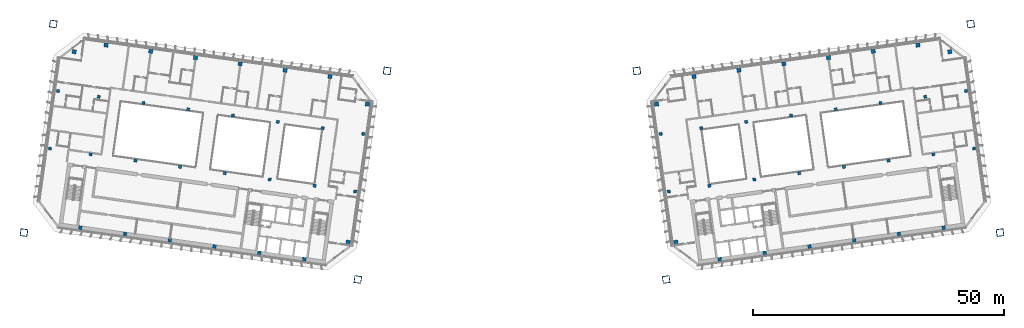
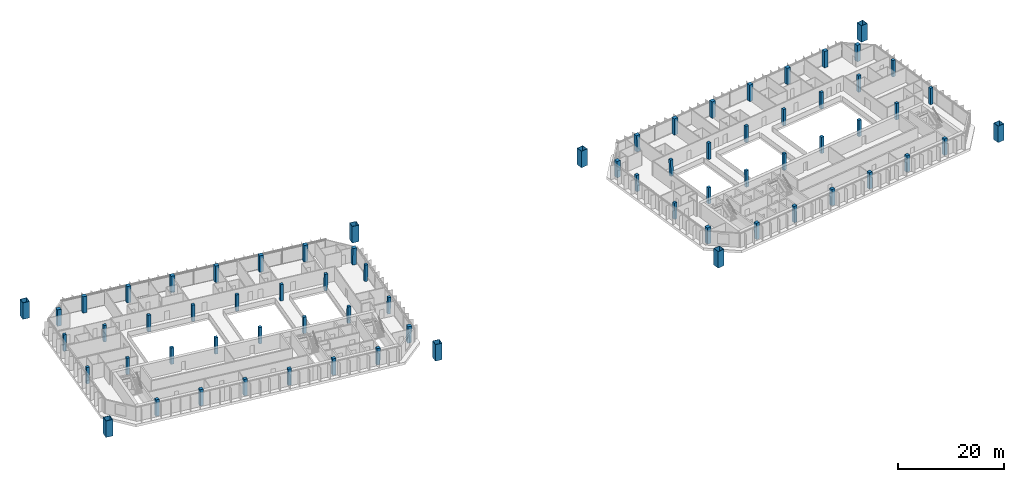
# One storey, part 1 of 26: 70 columns.
"""IFC4 building model written with IfcOpenShell, lengths in metres."""

from ifc_helpers import new_model, si_unit, direction, frame, origin, origin_2d, place, context, subcontext, project, spatial, rectangle, hollow_rectangle, extrude, material, material_profile, profile_set, type_object, element, save


model = new_model("IFC4")

# Units and contexts
model_context = context("Model", 3, precision=1e-05, world=origin(), true_north=direction((0.0, 1.0)))
body_context = subcontext(model_context, "Body", "Model", "MODEL_VIEW")
ifc_project = project(units=[si_unit("LENGTHUNIT", "METRE"), si_unit("AREAUNIT", "SQUARE_METRE"), si_unit("VOLUMEUNIT", "CUBIC_METRE"), si_unit("PLANEANGLEUNIT", "RADIAN"), si_unit("MASSUNIT", "GRAM", prefix="KILO")], contexts=[model_context])

# Site, building, storey
site_placement = place(None, origin())
site = spatial("IfcSite", under=ifc_project, at=site_placement, CompositionType="ELEMENT")
building_placement = place(site_placement, origin())
building = spatial("IfcBuilding", under=site, at=building_placement, Name="Mirante Cascada Hotel Towers", CompositionType="ELEMENT")
storey_placement = place(building_placement, frame((0.0, 0.0, 161.2)))
storey = spatial("IfcBuildingStorey", under=building, at=storey_placement, Name="L37", CompositionType="ELEMENT", Elevation=161.2)

# Columns
ifc_material_1 = material(Name="Steel ASTM A572 Gr 50", Category="steel")
ifc_material_profile_1 = material_profile(ifc_material_1, hollow_rectangle(XDim=1.4, YDim=1.4, WallThickness=0.06, at=origin_2d()), Name="Box column 1400x1400x60 ASTM A572 Gr 50")
ifc_profile_set_1 = profile_set([ifc_material_profile_1], Name="Steel ASTM A572 Gr 50")
column_type_1 = type_object("IfcColumnType", Name="Box column 1400x1400x60 ASTM A572 Gr 50", PredefinedType="COLUMN", material=ifc_profile_set_1)
for number, where, z_axis, x_axis, name in (
    (1, (-24.896, 18.4891, 0.0), (0.0, 0.0, 1.0), (-0.9902681, 0.1391731, 0.0), "Mega column MC1 T1 L37"),
    (2, (-30.7412, -23.1022, 0.0), (0.0, 0.0, 1.0), (-0.9902681, 0.1391731, 0.0), "Mega column MC2 T1 L37"),
    (3, (-91.4448, 27.8419, 0.0), (0.0, 0.0, 1.0), (-0.9902681, 0.1391731, 0.0), "Mega column MC3 T1 L37"),
    (4, (-97.2901, -13.7494, 0.0), (0.0, 0.0, 1.0), (-0.9902681, 0.1391731, 0.0), "Mega column MC4 T1 L37"),
    (5, (24.896, 18.4891, 0.0), (0.0, 0.0, 1.0), (0.9902681, 0.1391731, 0.0), "Mega column MC1 T2 L37"),
    (6, (30.7412, -23.1022, 0.0), (0.0, 0.0, 1.0), (0.9902681, 0.1391731, 0.0), "Mega column MC2 T2 L37"),
    (7, (91.4448, 27.8419, 0.0), (0.0, 0.0, 1.0), (0.9902681, 0.1391731, 0.0), "Mega column MC3 T2 L37"),
    (8, (97.2901, -13.7494, 0.0), (0.0, 0.0, 1.0), (0.9902681, 0.1391731, 0.0), "Mega column MC4 T2 L37"),
):
    element("IfcColumn", number, at=place(storey_placement, frame(where, z_axis=z_axis, x_axis=x_axis)), inside=storey, type_object=column_type_1, Name=name, PredefinedType="COLUMN", context=body_context, shape_type="SweptSolid", body=[
        extrude(hollow_rectangle(XDim=1.4, YDim=1.4, WallThickness=0.06, at=origin_2d()), origin(), (0.0, 0.0, 1.0), 3.8),
    ])
ifc_material_2 = material(Name="Concrete C50/60", Category="concrete")
ifc_material_profile_2 = material_profile(ifc_material_2, rectangle(XDim=0.6, YDim=0.6, at=origin_2d()), Name="RC column 600x600 C50/60")
ifc_profile_set_2 = profile_set([ifc_material_profile_2], Name="Concrete C50/60")
column_type_2 = type_object("IfcColumnType", Name="RC column 600x600 C50/60", PredefinedType="COLUMN", material=ifc_profile_set_2)
for number, where, z_axis, x_axis, name in (
    (9, (-29.6573, 5.9295, 0.004), (0.0173233, -0.0024522, 0.9998469), (0.1401553, 0.9901295, 0.0), "Column T1 L37 2"),
    (10, (-31.2717, -5.5576, 0.004), (0.0173233, -0.0024522, 0.9998469), (0.1401553, 0.9901295, 0.0), "Column T1 L37 3"),
    (11, (-37.7454, 7.0662, 0.004), (0.0174815, -0.0024521, 0.9998442), (0.1389115, 0.9903048, 0.0), "Column T1 L37 6"),
    (12, (-39.3598, -4.4209, 0.004), (0.0174815, -0.0024521, 0.9998442), (0.1389115, 0.9903048, 0.0), "Column T1 L37 7"),
):
    element("IfcColumn", number, at=place(storey_placement, frame(where, z_axis=z_axis, x_axis=x_axis)), inside=storey, type_object=column_type_2, Name=name, PredefinedType="COLUMN", context=body_context, shape_type="SweptSolid", body=[
        extrude(rectangle(XDim=0.6, YDim=0.6, at=origin_2d()), origin(), (0.0, 0.0, 1.0), 3.7926),
    ])
for number, where, z_axis, x_axis, name in (
    (13, (-46.6916, 8.3235, 0.004), (0.0087549, -0.0012394, 0.9999609), (0.1401687, 0.9901276, 0.0), "Column T1 L37 10"),
    (14, (-48.306, -3.1636, 0.004), (0.0087549, -0.0012394, 0.9999609), (0.1401687, 0.9901276, 0.0), "Column T1 L37 11"),
):
    element("IfcColumn", number, at=place(storey_placement, frame(where, z_axis=z_axis, x_axis=x_axis)), inside=storey, type_object=column_type_2, Name=name, PredefinedType="COLUMN", context=body_context, shape_type="SweptSolid", body=[
        extrude(rectangle(XDim=0.6, YDim=0.6, at=origin_2d()), origin(), (0.0, 0.0, 1.0), 3.7921),
    ])
for number, where, z_axis, x_axis, name in (
    (15, (-55.6378, 9.5808, 0.0), (0.0, 0.0, 1.0), (-0.9902681, 0.1391731, 0.0), "Column T1 L37 14"),
    (16, (-57.2522, -1.9063, 0.0), (0.0, 0.0, 1.0), (-0.9902681, 0.1391731, 0.0), "Column T1 L37 15"),
    (17, (-64.5502, 10.8333, 0.0), (0.0, 0.0, 1.0), (-0.9902681, 0.1391731, 0.0), "Column T1 L37 18"),
    (18, (-66.1646, -0.6538, 0.0), (0.0, 0.0, 1.0), (-0.9902681, 0.1391731, 0.0), "Column T1 L37 19"),
    (19, (-73.4626, 12.0859, 0.0), (0.0, 0.0, 1.0), (-0.9902681, 0.1391731, 0.0), "Column T1 L37 22"),
    (20, (-75.077, 0.5988, 0.0), (0.0, 0.0, 1.0), (-0.9902681, 0.1391731, 0.0), "Column T1 L37 23"),
    (21, (-82.375, 13.3385, 0.0), (0.0, 0.0, 1.0), (-0.9902681, 0.1391731, 0.0), "Column T1 L37 26"),
    (22, (-83.9894, 1.8514, 0.0), (0.0, 0.0, 1.0), (-0.9902681, 0.1391731, 0.0), "Column T1 L37 27"),
    (23, (-90.4952, 14.4797, 0.0), (0.0, 0.0, 1.0), (-0.9902681, 0.1391731, 0.0), "Column T1 L37 30"),
    (24, (-92.1096, 2.9926, 0.0), (0.0, 0.0, 1.0), (-0.9902681, 0.1391731, 0.0), "Column T1 L37 31"),
):
    element("IfcColumn", number, at=place(storey_placement, frame(where, z_axis=z_axis, x_axis=x_axis)), inside=storey, type_object=column_type_2, Name=name, PredefinedType="COLUMN", context=body_context, shape_type="SweptSolid", body=[
        extrude(rectangle(XDim=0.6, YDim=0.6, at=origin_2d()), origin(), (0.0, 0.0, 1.0), 3.8),
    ])
for number, where, z_axis, x_axis, name in (
    (25, (29.6573, 5.9295, 0.004), (-0.0173233, -0.0024522, 0.9998469), (0.1401553, -0.9901295, 0.0), "Column T2 L37 2"),
    (26, (31.2717, -5.5576, 0.004), (-0.0173233, -0.0024522, 0.9998469), (0.1401553, -0.9901295, 0.0), "Column T2 L37 3"),
    (27, (37.7454, 7.0662, 0.004), (-0.0174815, -0.0024521, 0.9998442), (0.1389115, -0.9903048, 0.0), "Column T2 L37 6"),
    (28, (39.3598, -4.4209, 0.004), (-0.0174815, -0.0024521, 0.9998442), (0.1389115, -0.9903048, 0.0), "Column T2 L37 7"),
):
    element("IfcColumn", number, at=place(storey_placement, frame(where, z_axis=z_axis, x_axis=x_axis)), inside=storey, type_object=column_type_2, Name=name, PredefinedType="COLUMN", context=body_context, shape_type="SweptSolid", body=[
        extrude(rectangle(XDim=0.6, YDim=0.6, at=origin_2d()), origin(), (0.0, 0.0, 1.0), 3.7926),
    ])
for number, where, z_axis, x_axis, name in (
    (29, (46.6916, 8.3235, 0.004), (-0.0087549, -0.0012394, 0.9999609), (0.1401687, -0.9901276, 0.0), "Column T2 L37 10"),
    (30, (48.306, -3.1636, 0.004), (-0.0087549, -0.0012394, 0.9999609), (0.1401687, -0.9901276, 0.0), "Column T2 L37 11"),
):
    element("IfcColumn", number, at=place(storey_placement, frame(where, z_axis=z_axis, x_axis=x_axis)), inside=storey, type_object=column_type_2, Name=name, PredefinedType="COLUMN", context=body_context, shape_type="SweptSolid", body=[
        extrude(rectangle(XDim=0.6, YDim=0.6, at=origin_2d()), origin(), (0.0, 0.0, 1.0), 3.7921),
    ])
for number, where, z_axis, x_axis, name in (
    (31, (55.6378, 9.5808, 0.0), (0.0, 0.0, 1.0), (0.9902681, 0.1391731, 0.0), "Column T2 L37 14"),
    (32, (57.2522, -1.9063, 0.0), (0.0, 0.0, 1.0), (0.9902681, 0.1391731, 0.0), "Column T2 L37 15"),
    (33, (64.5502, 10.8333, 0.0), (0.0, 0.0, 1.0), (0.9902681, 0.1391731, 0.0), "Column T2 L37 18"),
    (34, (66.1646, -0.6538, 0.0), (0.0, 0.0, 1.0), (0.9902681, 0.1391731, 0.0), "Column T2 L37 19"),
    (35, (73.4626, 12.0859, 0.0), (0.0, 0.0, 1.0), (0.9902681, 0.1391731, 0.0), "Column T2 L37 22"),
    (36, (75.077, 0.5988, 0.0), (0.0, 0.0, 1.0), (0.9902681, 0.1391731, 0.0), "Column T2 L37 23"),
    (37, (82.375, 13.3385, 0.0), (0.0, 0.0, 1.0), (0.9902681, 0.1391731, 0.0), "Column T2 L37 26"),
    (38, (83.9894, 1.8514, 0.0), (0.0, 0.0, 1.0), (0.9902681, 0.1391731, 0.0), "Column T2 L37 27"),
    (39, (90.4952, 14.4797, 0.0), (0.0, 0.0, 1.0), (0.9902681, 0.1391731, 0.0), "Column T2 L37 30"),
    (40, (92.1096, 2.9926, 0.0), (0.0, 0.0, 1.0), (0.9902681, 0.1391731, 0.0), "Column T2 L37 31"),
):
    element("IfcColumn", number, at=place(storey_placement, frame(where, z_axis=z_axis, x_axis=x_axis)), inside=storey, type_object=column_type_2, Name=name, PredefinedType="COLUMN", context=body_context, shape_type="SweptSolid", body=[
        extrude(rectangle(XDim=0.6, YDim=0.6, at=origin_2d()), origin(), (0.0, 0.0, 1.0), 3.8),
    ])
ifc_material_3 = material(Name="Concrete C50/60", Category="concrete")
ifc_material_profile_3 = material_profile(ifc_material_3, rectangle(XDim=0.7, YDim=0.7, at=origin_2d()), Name="RC column 700x700 C50/60")
ifc_profile_set_3 = profile_set([ifc_material_profile_3], Name="Concrete C50/60")
column_type_3 = type_object("IfcColumnType", Name="RC column 700x700 C50/60", PredefinedType="COLUMN", material=ifc_profile_set_3)
column_1_placement = place(storey_placement, frame((-41.4126, -19.0274, 0.004), z_axis=(0.0174815, -0.0024521, 0.9998442), x_axis=(0.1389115, 0.9903048, 0.0)))
element("IfcColumn", 41, at=column_1_placement, inside=storey, type_object=column_type_3, Name="Column T1 L37 8", PredefinedType="COLUMN", context=body_context, shape_type="SweptSolid", body=[
    extrude(rectangle(XDim=0.7, YDim=0.7, at=origin_2d()), origin(), (0.0, 0.0, 1.0), 3.7926),
])
column_2_placement = place(storey_placement, frame((-50.3588, -17.7701, 0.004), z_axis=(0.0087286, -0.001213, 0.9999612), x_axis=(0.1376499, 0.9904809, 0.0)))
element("IfcColumn", 42, at=column_2_placement, inside=storey, type_object=column_type_3, Name="Column T1 L37 12", PredefinedType="COLUMN", context=body_context, shape_type="SweptSolid", body=[
    extrude(rectangle(XDim=0.7, YDim=0.7, at=origin_2d()), origin(), (0.0, 0.0, 1.0), 3.7921),
])
for number, where, z_axis, x_axis, name in (
    (43, (-59.305, -16.5128, 0.0), (0.0, 0.0, 1.0), (-0.9902681, 0.1391731, 0.0), "Column T1 L37 16"),
    (44, (-68.2174, -15.2602, 0.0), (0.0, 0.0, 1.0), (-0.9902681, 0.1391731, 0.0), "Column T1 L37 20"),
    (45, (-77.1298, -14.0077, 0.0), (0.0, 0.0, 1.0), (-0.9902681, 0.1391731, 0.0), "Column T1 L37 24"),
    (46, (-86.0422, -12.7551, 0.0), (0.0, 0.0, 1.0), (-0.9902681, 0.1391731, 0.0), "Column T1 L37 28"),
):
    element("IfcColumn", number, at=place(storey_placement, frame(where, z_axis=z_axis, x_axis=x_axis)), inside=storey, type_object=column_type_3, Name=name, PredefinedType="COLUMN", context=body_context, shape_type="SweptSolid", body=[
        extrude(rectangle(XDim=0.7, YDim=0.7, at=origin_2d()), origin(), (0.0, 0.0, 1.0), 3.8),
    ])
column_3_placement = place(storey_placement, frame((41.4126, -19.0274, 0.004), z_axis=(-0.0174815, -0.0024521, 0.9998442), x_axis=(0.1389115, -0.9903048, 0.0)))
element("IfcColumn", 47, at=column_3_placement, inside=storey, type_object=column_type_3, Name="Column T2 L37 8", PredefinedType="COLUMN", context=body_context, shape_type="SweptSolid", body=[
    extrude(rectangle(XDim=0.7, YDim=0.7, at=origin_2d()), origin(), (0.0, 0.0, 1.0), 3.7926),
])
column_4_placement = place(storey_placement, frame((50.3588, -17.7701, 0.004), z_axis=(-0.0087286, -0.001213, 0.9999612), x_axis=(0.1376499, -0.9904809, 0.0)))
element("IfcColumn", 48, at=column_4_placement, inside=storey, type_object=column_type_3, Name="Column T2 L37 12", PredefinedType="COLUMN", context=body_context, shape_type="SweptSolid", body=[
    extrude(rectangle(XDim=0.7, YDim=0.7, at=origin_2d()), origin(), (0.0, 0.0, 1.0), 3.7921),
])
for number, where, z_axis, x_axis, name in (
    (49, (59.305, -16.5128, 0.0), (0.0, 0.0, 1.0), (0.9902681, 0.1391731, 0.0), "Column T2 L37 16"),
    (50, (68.2174, -15.2602, 0.0), (0.0, 0.0, 1.0), (0.9902681, 0.1391731, 0.0), "Column T2 L37 20"),
    (51, (77.1298, -14.0077, 0.0), (0.0, 0.0, 1.0), (0.9902681, 0.1391731, 0.0), "Column T2 L37 24"),
    (52, (86.0422, -12.7551, 0.0), (0.0, 0.0, 1.0), (0.9902681, 0.1391731, 0.0), "Column T2 L37 28"),
):
    element("IfcColumn", number, at=place(storey_placement, frame(where, z_axis=z_axis, x_axis=x_axis)), inside=storey, type_object=column_type_3, Name=name, PredefinedType="COLUMN", context=body_context, shape_type="SweptSolid", body=[
        extrude(rectangle(XDim=0.7, YDim=0.7, at=origin_2d()), origin(), (0.0, 0.0, 1.0), 3.8),
    ])
ifc_material_4 = material(Name="Concrete C50/60", Category="concrete")
ifc_material_profile_4 = material_profile(ifc_material_4, rectangle(XDim=0.8, YDim=0.8, at=origin_2d()), Name="RC column 800x800 C50/60")
ifc_profile_set_4 = profile_set([ifc_material_profile_4], Name="Concrete C50/60")
column_type_4 = type_object("IfcColumnType", Name="RC column 800x800 C50/60", PredefinedType="COLUMN", material=ifc_profile_set_4)
for number, where, z_axis, x_axis, name in (
    (53, (-28.8222, 11.8711, 0.004), (0.0172969, -0.0024522, 0.9998474), (0.1403648, 0.9900999, 0.0), "Column T1 L37 1"),
    (54, (-32.6913, -15.6584, 0.004), (0.0173233, -0.0024258, 0.999847), (0.1386774, 0.9903376, 0.0), "Column T1 L37 4"),
    (55, (-36.298, 17.365, 0.004), (0.0174815, -0.0024521, 0.9998442), (0.1389115, 0.9903048, 0.0), "Column T1 L37 5"),
):
    element("IfcColumn", number, at=place(storey_placement, frame(where, z_axis=z_axis, x_axis=x_axis)), inside=storey, type_object=column_type_4, Name=name, PredefinedType="COLUMN", context=body_context, shape_type="SweptSolid", body=[
        extrude(rectangle(XDim=0.8, YDim=0.8, at=origin_2d()), origin(), (0.0, 0.0, 1.0), 3.7926),
    ])
column_5_placement = place(storey_placement, frame((-45.2442, 18.6223, 0.004), z_axis=(0.0087549, -0.0012394, 0.9999609), x_axis=(0.1401687, 0.9901276, 0.0)))
element("IfcColumn", 56, at=column_5_placement, inside=storey, type_object=column_type_4, Name="Column T1 L37 9", PredefinedType="COLUMN", context=body_context, shape_type="SweptSolid", body=[
    extrude(rectangle(XDim=0.8, YDim=0.8, at=origin_2d()), origin(), (0.0, 0.0, 1.0), 3.7921),
])
for number, where, z_axis, x_axis, name in (
    (57, (-54.1904, 19.8796, 0.0), (0.0, 0.0, 1.0), (-0.9902681, 0.1391731, 0.0), "Column T1 L37 13"),
    (58, (-63.1028, 21.1321, 0.0), (0.0, 0.0, 1.0), (-0.9902681, 0.1391731, 0.0), "Column T1 L37 17"),
    (59, (-72.0152, 22.3847, 0.0), (0.0, 0.0, 1.0), (-0.9902681, 0.1391731, 0.0), "Column T1 L37 21"),
    (60, (-80.9276, 23.6373, 0.0), (0.0, 0.0, 1.0), (-0.9902681, 0.1391731, 0.0), "Column T1 L37 25"),
    (61, (-87.2744, 22.3076, 0.0), (0.0, 0.0, 1.0), (-0.9902681, 0.1391731, 0.0), "Column T1 L37 29"),
):
    element("IfcColumn", number, at=place(storey_placement, frame(where, z_axis=z_axis, x_axis=x_axis)), inside=storey, type_object=column_type_4, Name=name, PredefinedType="COLUMN", context=body_context, shape_type="SweptSolid", body=[
        extrude(rectangle(XDim=0.8, YDim=0.8, at=origin_2d()), origin(), (0.0, 0.0, 1.0), 3.8),
    ])
for number, where, z_axis, x_axis, name in (
    (62, (28.8222, 11.8711, 0.004), (-0.0172969, -0.0024522, 0.9998474), (0.1403648, -0.9900999, 0.0), "Column T2 L37 1"),
    (63, (32.6913, -15.6584, 0.004), (-0.0173233, -0.0024258, 0.999847), (0.1386774, -0.9903376, 0.0), "Column T2 L37 4"),
    (64, (36.298, 17.365, 0.004), (-0.0174815, -0.0024521, 0.9998442), (0.1389115, -0.9903048, 0.0), "Column T2 L37 5"),
):
    element("IfcColumn", number, at=place(storey_placement, frame(where, z_axis=z_axis, x_axis=x_axis)), inside=storey, type_object=column_type_4, Name=name, PredefinedType="COLUMN", context=body_context, shape_type="SweptSolid", body=[
        extrude(rectangle(XDim=0.8, YDim=0.8, at=origin_2d()), origin(), (0.0, 0.0, 1.0), 3.7926),
    ])
column_6_placement = place(storey_placement, frame((45.2442, 18.6223, 0.004), z_axis=(-0.0087549, -0.0012394, 0.9999609), x_axis=(0.1401687, -0.9901276, 0.0)))
element("IfcColumn", 65, at=column_6_placement, inside=storey, type_object=column_type_4, Name="Column T2 L37 9", PredefinedType="COLUMN", context=body_context, shape_type="SweptSolid", body=[
    extrude(rectangle(XDim=0.8, YDim=0.8, at=origin_2d()), origin(), (0.0, 0.0, 1.0), 3.7921),
])
for number, where, z_axis, x_axis, name in (
    (66, (54.1904, 19.8796, 0.0), (0.0, 0.0, 1.0), (0.9902681, 0.1391731, 0.0), "Column T2 L37 13"),
    (67, (63.1028, 21.1321, 0.0), (0.0, 0.0, 1.0), (0.9902681, 0.1391731, 0.0), "Column T2 L37 17"),
    (68, (72.0152, 22.3847, 0.0), (0.0, 0.0, 1.0), (0.9902681, 0.1391731, 0.0), "Column T2 L37 21"),
    (69, (80.9276, 23.6373, 0.0), (0.0, 0.0, 1.0), (0.9902681, 0.1391731, 0.0), "Column T2 L37 25"),
    (70, (87.2744, 22.3076, 0.0), (0.0, 0.0, 1.0), (0.9902681, 0.1391731, 0.0), "Column T2 L37 29"),
):
    element("IfcColumn", number, at=place(storey_placement, frame(where, z_axis=z_axis, x_axis=x_axis)), inside=storey, type_object=column_type_4, Name=name, PredefinedType="COLUMN", context=body_context, shape_type="SweptSolid", body=[
        extrude(rectangle(XDim=0.8, YDim=0.8, at=origin_2d()), origin(), (0.0, 0.0, 1.0), 3.8),
    ])

save(model, "model.ifc")
